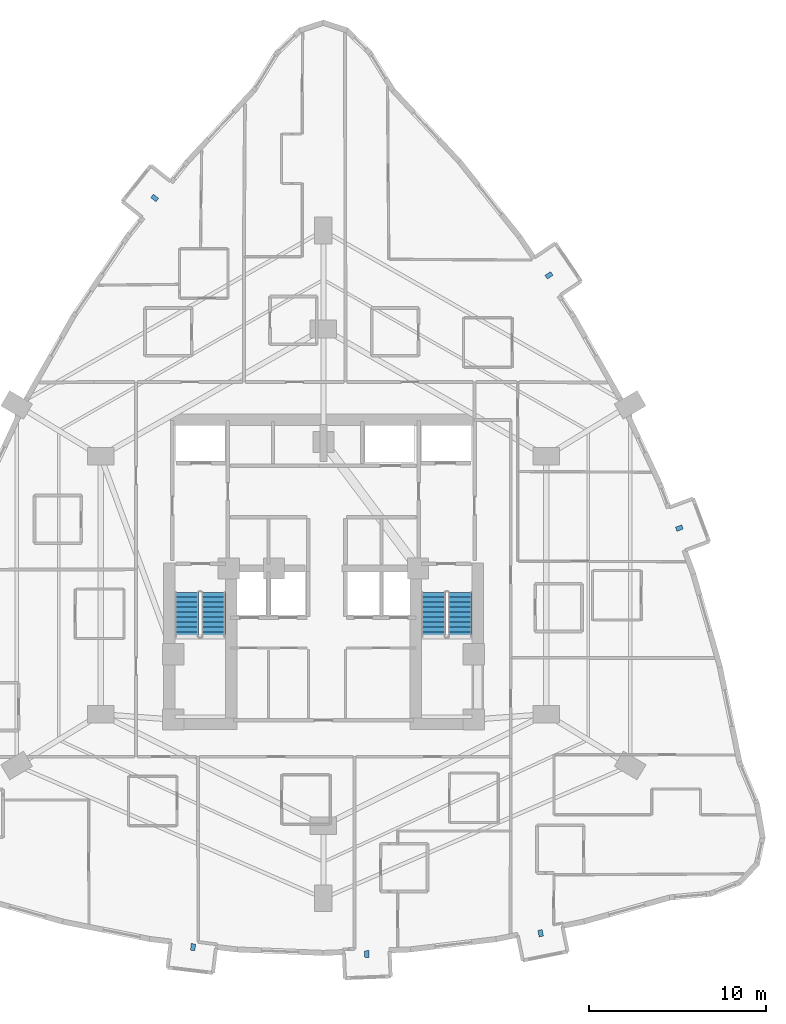
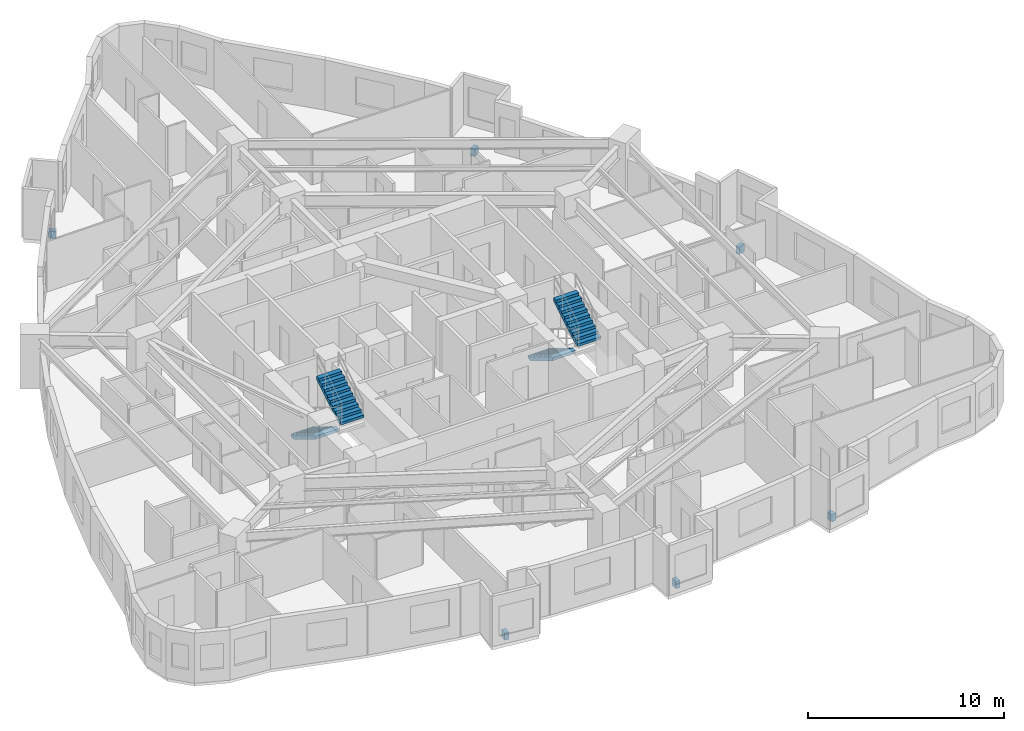
# One storey, part 14 of 15: 6 discrete accessories, 4 stair flights, 2 elements without a shape of their own.
"""IFC4 building model written with IfcOpenShell, lengths in metres."""

from ifc_helpers import new_model, si_unit, direction, frame, origin, origin_2d, place, context, subcontext, project, spatial, polyline, rectangle, outline, extrude, material, type_object, element, aggregate, save


model = new_model("IFC4")

# Units and contexts
model_context = context("Model", 3, precision=1e-05, world=origin(), true_north=direction((0.0, 1.0)))
body_context = subcontext(model_context, "Body", "Model", "MODEL_VIEW")
ifc_project = project(units=[si_unit("LENGTHUNIT", "METRE"), si_unit("AREAUNIT", "SQUARE_METRE"), si_unit("VOLUMEUNIT", "CUBIC_METRE"), si_unit("PLANEANGLEUNIT", "RADIAN"), si_unit("MASSUNIT", "GRAM", prefix="KILO")], contexts=[model_context])

# Site, building, storey
site_placement = place(None, origin())
site = spatial("IfcSite", under=ifc_project, at=site_placement, CompositionType="ELEMENT")
building_placement = place(site_placement, origin())
building = spatial("IfcBuilding", under=site, at=building_placement, Name="Miruveldt Soraemaru", CompositionType="ELEMENT")
storey_placement = place(building_placement, frame((0.0, 0.0, 39.39990234375)))
storey = spatial("IfcBuildingStorey", under=building, at=storey_placement, Name="L10", CompositionType="ELEMENT", Elevation=39.39990234375)

# Stair, stair flights
ifc_material_1 = material(Name="Concrete C40/50 (40 MPa)", Category="concrete")
stair_type = type_object("IfcStairType", Name="STAIR-DL-340", PredefinedType="HALF_TURN_STAIR", material=ifc_material_1)
stair_1_placement = place(storey_placement, origin())
stair_1 = element("IfcStair", 1, at=stair_1_placement, inside=storey, type_object=stair_type, Name="L10 Protected Exit Stair ST-1", PredefinedType="HALF_TURN_STAIR")
stair_flight_type = type_object("IfcStairFlightType", Name="SFL-DL-340", PredefinedType="STRAIGHT", material=ifc_material_1)
stair_flight_1_placement = place(storey_placement, frame((36.27490234375, 42.699951171875, 0.0), z_axis=(0.0, 0.0, 1.0), x_axis=(0.0, -1.0, 0.0)))
stair_flight_1 = element("IfcStairFlight", 2, at=stair_flight_1_placement, type_object=stair_flight_type, Name="ST-1 flight 1", NumberOfRisers=10, NumberOfTreads=9, PredefinedType="STRAIGHT", RiserHeight=0.17, TreadLength=0.28, context=body_context, shape_type="SweptSolid", body=[
    extrude(outline(polyline([(0.0, 0.0), (0.0, 0.169921875), (0.280029296875, 0.169921875), (0.280029296875, 0.340087890625), (0.56005859375, 0.340087890625), (0.56005859375, 0.510009765625), (0.840087890625, 0.510009765625), (0.840087890625, 0.679931640625), (1.1201171875, 0.679931640625), (1.1201171875, 0.85009765625), (1.39990234375, 0.85009765625), (1.39990234375, 1.02001953125), (1.679931640625, 1.02001953125), (1.679931640625, 1.18994140625), (1.9599609375, 1.18994140625), (1.9599609375, 1.360107421875), (2.239990234375, 1.360107421875), (2.239990234375, 1.530029296875), (2.52001953125, 1.530029296875), (2.52001953125, 1.699951171875), (2.52001953125, 1.343017578125), (0.30810546875, 0.0), (0.0, 0.0)])), frame((0.0, 0.675048828125, 0.0), z_axis=(0.0, -1.0, 0.0), x_axis=(1.0, 0.0, 0.0)), (0.0, 0.0, 1.0), 1.35009765625),
])
stair_flight_2_placement = place(storey_placement, frame((37.77490234375, 40.179931640625, 1.7001953125), z_axis=(0.0, 0.0, 1.0), x_axis=(0.0, 1.0, 0.0)))
stair_flight_2 = element("IfcStairFlight", 3, at=stair_flight_2_placement, type_object=stair_flight_type, Name="ST-1 flight 2", NumberOfRisers=10, NumberOfTreads=9, PredefinedType="STRAIGHT", RiserHeight=0.17, TreadLength=0.28, context=body_context, shape_type="SweptSolid", body=[
    extrude(outline(polyline([(0.0, 0.0), (0.0, 0.169921875), (0.280029296875, 0.169921875), (0.280029296875, 0.340087890625), (0.56005859375, 0.340087890625), (0.56005859375, 0.510009765625), (0.840087890625, 0.510009765625), (0.840087890625, 0.679931640625), (1.1201171875, 0.679931640625), (1.1201171875, 0.85009765625), (1.39990234375, 0.85009765625), (1.39990234375, 1.02001953125), (1.679931640625, 1.02001953125), (1.679931640625, 1.18994140625), (1.9599609375, 1.18994140625), (1.9599609375, 1.360107421875), (2.239990234375, 1.360107421875), (2.239990234375, 1.530029296875), (2.52001953125, 1.530029296875), (2.52001953125, 1.699951171875), (2.52001953125, 1.343017578125), (0.30810546875, 0.0), (0.0, 0.0)])), frame((0.0, 0.675048828125, 0.0), z_axis=(0.0, -1.0, 0.0), x_axis=(1.0, 0.0, 0.0)), (0.0, 0.0, 1.0), 1.35009765625),
])
aggregate(stair_1, [stair_flight_1, stair_flight_2])

stair_2_placement = place(storey_placement, origin())
stair_2 = element("IfcStair", 4, at=stair_2_placement, inside=storey, type_object=stair_type, Name="L10 Protected Exit Stair ST-2", PredefinedType="HALF_TURN_STAIR")
stair_flight_3_placement = place(storey_placement, frame((50.22509765625, 42.699951171875, 0.0), z_axis=(0.0, 0.0, 1.0), x_axis=(0.0, -1.0, 0.0)))
stair_flight_3 = element("IfcStairFlight", 5, at=stair_flight_3_placement, type_object=stair_flight_type, Name="ST-2 flight 1", NumberOfRisers=10, NumberOfTreads=9, PredefinedType="STRAIGHT", RiserHeight=0.17, TreadLength=0.28, context=body_context, shape_type="SweptSolid", body=[
    extrude(outline(polyline([(0.0, 0.0), (0.0, 0.169921875), (0.280029296875, 0.169921875), (0.280029296875, 0.340087890625), (0.56005859375, 0.340087890625), (0.56005859375, 0.510009765625), (0.840087890625, 0.510009765625), (0.840087890625, 0.679931640625), (1.1201171875, 0.679931640625), (1.1201171875, 0.85009765625), (1.39990234375, 0.85009765625), (1.39990234375, 1.02001953125), (1.679931640625, 1.02001953125), (1.679931640625, 1.18994140625), (1.9599609375, 1.18994140625), (1.9599609375, 1.360107421875), (2.239990234375, 1.360107421875), (2.239990234375, 1.530029296875), (2.52001953125, 1.530029296875), (2.52001953125, 1.699951171875), (2.52001953125, 1.343017578125), (0.30810546875, 0.0), (0.0, 0.0)])), frame((0.0, 0.675048828125, 0.0), z_axis=(0.0, -1.0, 0.0), x_axis=(1.0, 0.0, 0.0)), (0.0, 0.0, 1.0), 1.35009765625),
])
stair_flight_4_placement = place(storey_placement, frame((51.72509765625, 40.179931640625, 1.7001953125), z_axis=(0.0, 0.0, 1.0), x_axis=(0.0, 1.0, 0.0)))
stair_flight_4 = element("IfcStairFlight", 6, at=stair_flight_4_placement, type_object=stair_flight_type, Name="ST-2 flight 2", NumberOfRisers=10, NumberOfTreads=9, PredefinedType="STRAIGHT", RiserHeight=0.17, TreadLength=0.28, context=body_context, shape_type="SweptSolid", body=[
    extrude(outline(polyline([(0.0, 0.0), (0.0, 0.169921875), (0.280029296875, 0.169921875), (0.280029296875, 0.340087890625), (0.56005859375, 0.340087890625), (0.56005859375, 0.510009765625), (0.840087890625, 0.510009765625), (0.840087890625, 0.679931640625), (1.1201171875, 0.679931640625), (1.1201171875, 0.85009765625), (1.39990234375, 0.85009765625), (1.39990234375, 1.02001953125), (1.679931640625, 1.02001953125), (1.679931640625, 1.18994140625), (1.9599609375, 1.18994140625), (1.9599609375, 1.360107421875), (2.239990234375, 1.360107421875), (2.239990234375, 1.530029296875), (2.52001953125, 1.530029296875), (2.52001953125, 1.699951171875), (2.52001953125, 1.343017578125), (0.30810546875, 0.0), (0.0, 0.0)])), frame((0.0, 0.675048828125, 0.0), z_axis=(0.0, -1.0, 0.0), x_axis=(1.0, 0.0, 0.0)), (0.0, 0.0, 1.0), 1.35009765625),
])
aggregate(stair_2, [stair_flight_3, stair_flight_4])

# Discrete accessories
ifc_material_2 = material(Name="Steel SM355 (355 MPa)", Category="steel")
discrete_accessory_type = type_object("IfcDiscreteAccessoryType", Name="ACC-BAY-BRK", PredefinedType="BRACKET", material=ifc_material_2)
for number, where, z_axis, x_axis, name in (
    (7, (36.62548828125, 22.62451171875, -0.7197265625), (0.0, 0.0, 1.0), (-0.119149147143, -0.992876367296, 0.0), "L10 Bay Window Cantilever Bracket 1"),
    (8, (46.458251953125, 22.231201171875, -0.7197265625), (0.0, 0.0, 1.0), (0.039957399602, -0.999201384215, 0.0), "L10 Bay Window Cantilever Bracket 2"),
    (9, (56.29052734375, 23.410888671875, -0.7197265625), (0.0, 0.0, 1.0), (0.196117290802, -0.980580444557, 0.0), "L10 Bay Window Cantilever Bracket 3"),
    (10, (64.135498046875, 46.329833984375, -0.7197265625), (0.0, 0.0, 1.0), (0.937117624721, 0.349013692334, 0.0), "L10 Bay Window Cantilever Bracket 4"),
    (11, (56.7626953125, 60.632568359375, -0.7197265625), (0.0, 0.0, 1.0), (0.827933108356, 0.560826861061, 0.0), "L10 Bay Window Cantilever Bracket 5"),
    (12, (34.45751953125, 65.006591796875, -0.7197265625), (0.0, 0.0, 1.0), (-0.781727315753, 0.623620400408, 0.0), "L10 Bay Window Cantilever Bracket 6"),
):
    element("IfcDiscreteAccessory", number, at=place(storey_placement, frame(where, z_axis=z_axis, x_axis=x_axis)), inside=storey, type_object=discrete_accessory_type, Name=name, PredefinedType="BRACKET", context=body_context, shape_type="SweptSolid", body=[
        extrude(rectangle(XDim=0.3798828125, YDim=0.25, at=origin_2d()), origin(), (0.0, 0.0, 1.0), 0.449951171875),
    ])

save(model, "model.ifc")
